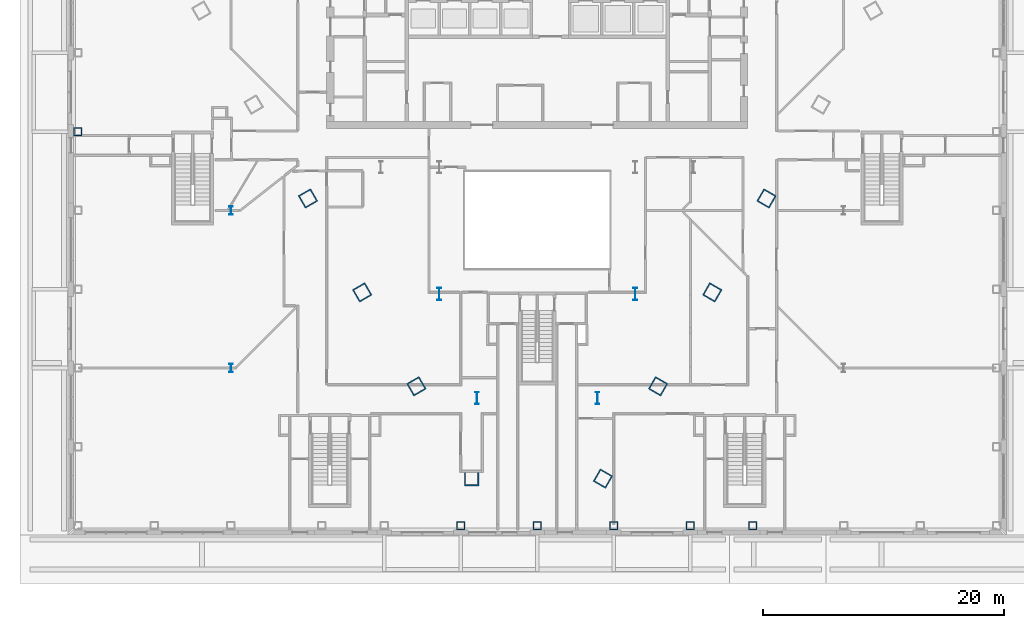
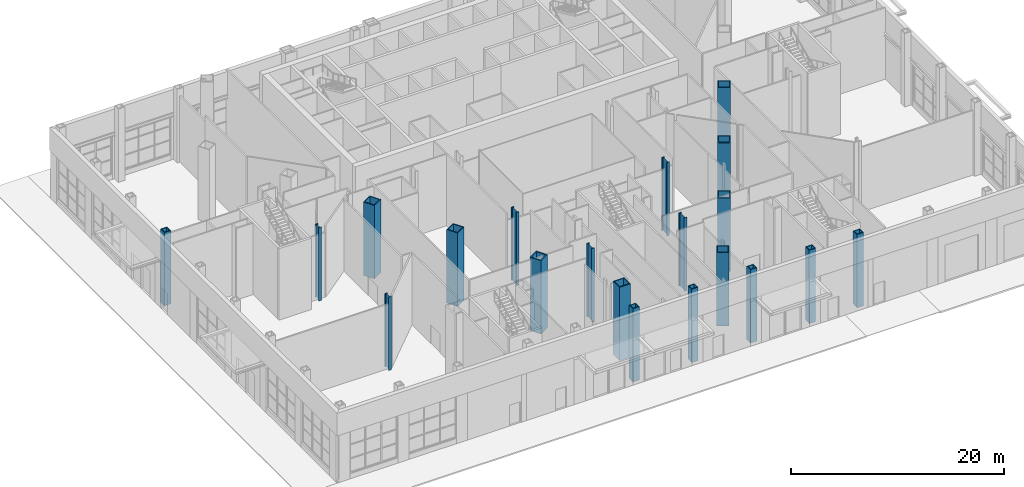
# One storey, part 2 of 34: 20 columns.
"""IFC4 building model written with IfcOpenShell, lengths in metres."""

from ifc_helpers import new_model, si_unit, direction, frame, origin, origin_2d, place, context, subcontext, project, spatial, hollow_rectangle, i_section, extrude, material, material_profile, profile_set, type_object, element, save


model = new_model("IFC4")

# Units and contexts
model_context = context("Model", 3, precision=1e-05, world=origin(), true_north=direction((0.0, 1.0)))
body_context = subcontext(model_context, "Body", "Model", "MODEL_VIEW")
ifc_project = project(units=[si_unit("LENGTHUNIT", "METRE"), si_unit("AREAUNIT", "SQUARE_METRE"), si_unit("VOLUMEUNIT", "CUBIC_METRE"), si_unit("PLANEANGLEUNIT", "RADIAN"), si_unit("MASSUNIT", "GRAM", prefix="KILO")], contexts=[model_context])

# Site, building, storey
site_placement = place(None, origin())
site = spatial("IfcSite", under=ifc_project, at=site_placement, CompositionType="ELEMENT")
building_placement = place(site_placement, origin())
building = spatial("IfcBuilding", under=site, at=building_placement, Name="Njiva Tower", CompositionType="ELEMENT")
storey_placement = place(building_placement, origin())
storey = spatial("IfcBuildingStorey", under=building, at=storey_placement, Name="L00", CompositionType="ELEMENT", Elevation=0.0)

# Columns
ifc_material = material(Name="Steel S355 J2", Category="steel")
ifc_material_profile_1 = material_profile(ifc_material, hollow_rectangle(XDim=1.2, YDim=1.2, WallThickness=0.1, at=origin_2d()), Name="BOX 1200x1200x100")
ifc_profile_set_1 = profile_set([ifc_material_profile_1], Name="Steel S355 J2")
column_type_1 = type_object("IfcColumnType", Name="C1 Mega-column BOX 1200x1200x100", PredefinedType="COLUMN", material=ifc_profile_set_1)
for number, where, z_axis, x_axis, name in (
    (1, (-19.061, -5.807, 0.0), (0.0, 0.0, 1.0), (0.5, -0.866025403784, 0.0), "Mega-column L00-C09"),
    (2, (-14.553, -13.615, 0.0), (0.0, 0.0, 1.0), (0.5, -0.866025403784, 0.0), "Mega-column L00-C10"),
    (3, (-10.046, -21.422, 0.0), (0.0, 0.0, 1.0), (0.5, -0.866025403784, 0.0), "Mega-column L00-C11"),
    (4, (-5.461, -29.096, 0.0), (0.0, 0.0, 1.0), (1.0, 0.0, 0.0), "Mega-column L00-C12"),
    (5, (5.461, -29.096, 0.0), (0.0, 0.0, 1.0), (0.5, 0.866025403784, 0.0), "Mega-column L00-C13"),
    (6, (10.046, -21.422, 0.0), (0.0, 0.0, 1.0), (0.5, 0.866025403784, 0.0), "Mega-column L00-C14"),
    (7, (14.553, -13.615, 0.0), (0.0, 0.0, 1.0), (0.5, 0.866025403784, 0.0), "Mega-column L00-C15"),
    (8, (19.061, -5.807, 0.0), (0.0, 0.0, 1.0), (0.5, 0.866025403784, 0.0), "Mega-column L00-C16"),
):
    element("IfcColumn", number, at=place(storey_placement, frame(where, z_axis=z_axis, x_axis=x_axis)), inside=storey, type_object=column_type_1, Name=name, PredefinedType="COLUMN", context=body_context, shape_type="SweptSolid", body=[
        extrude(hollow_rectangle(XDim=1.2, YDim=1.2, WallThickness=0.1, at=origin_2d()), origin(), (0.0, 0.0, 1.0), 8.4),
    ])
ifc_material_profile_2 = material_profile(ifc_material, i_section(OverallWidth=0.302, OverallDepth=1.008, WebThickness=0.021, FlangeThickness=0.04, at=origin_2d()), Name="HEM 1000")
ifc_profile_set_2 = profile_set([ifc_material_profile_2], Name="Steel S355 J2")
column_type_2 = type_object("IfcColumnType", Name="C2 Interior column HEM 1000", PredefinedType="COLUMN", material=ifc_profile_set_2)
for number, where, z_axis, x_axis, name in (
    (9, (8.15, -13.75, 0.0), (0.0, 0.0, 1.0), (1.0, 0.0, 0.0), "Interior column L00-C21"),
    (10, (-8.15, -13.75, 0.0), (0.0, 0.0, 1.0), (1.0, 0.0, 0.0), "Interior column L00-C22"),
    (11, (5.0, -22.4, 0.0), (0.0, 0.0, 1.0), (1.0, 0.0, 0.0), "Interior column L00-C23"),
    (12, (-5.0, -22.4, 0.0), (0.0, 0.0, 1.0), (1.0, 0.0, 0.0), "Interior column L00-C24"),
):
    element("IfcColumn", number, at=place(storey_placement, frame(where, z_axis=z_axis, x_axis=x_axis)), inside=storey, type_object=column_type_2, Name=name, PredefinedType="COLUMN", context=body_context, shape_type="SweptSolid", body=[
        extrude(i_section(OverallWidth=0.302, OverallDepth=1.008, WebThickness=0.021, FlangeThickness=0.04, at=origin_2d()), origin(), (0.0, 0.0, 1.0), 8.4),
    ])
ifc_material_profile_3 = material_profile(ifc_material, hollow_rectangle(XDim=0.7, YDim=0.7, WallThickness=0.08, at=origin_2d()), Name="BOX 700x700x80")
ifc_profile_set_3 = profile_set([ifc_material_profile_3], Name="Steel S355 J2")
column_type_3 = type_object("IfcColumnType", Name="C3 Podium perimeter column BOX 700x700x80", PredefinedType="COLUMN", material=ifc_profile_set_3)
for number, where, z_axis, x_axis, name in (
    (13, (-38.2, -0.25, 0.0), (0.0, 0.0, 1.0), (0.0, -1.0, 0.0), "Podium perimeter column L00-C45"),
    (14, (-6.367, -33.0, 0.0), (0.0, 0.0, 1.0), (1.0, 0.0, 0.0), "Podium perimeter column L00-C55"),
    (15, (0.0, -33.0, 0.0), (0.0, 0.0, 1.0), (1.0, 0.0, 0.0), "Podium perimeter column L00-C56"),
    (16, (6.367, -33.0, 0.0), (0.0, 0.0, 1.0), (1.0, 0.0, 0.0), "Podium perimeter column L00-C57"),
    (17, (12.733, -33.0, 0.0), (0.0, 0.0, 1.0), (1.0, 0.0, 0.0), "Podium perimeter column L00-C58"),
    (18, (17.9, -33.0, 0.0), (0.0, 0.0, 1.0), (1.0, 0.0, 0.0), "Podium perimeter column L00-C59"),
):
    element("IfcColumn", number, at=place(storey_placement, frame(where, z_axis=z_axis, x_axis=x_axis)), inside=storey, type_object=column_type_3, Name=name, PredefinedType="COLUMN", context=body_context, shape_type="SweptSolid", body=[
        extrude(hollow_rectangle(XDim=0.7, YDim=0.7, WallThickness=0.08, at=origin_2d()), origin(), (0.0, 0.0, 1.0), 8.4),
    ])
ifc_material_profile_4 = material_profile(ifc_material, i_section(OverallWidth=0.304, OverallDepth=0.716, WebThickness=0.021, FlangeThickness=0.04, at=origin_2d()), Name="HEM 700")
ifc_profile_set_4 = profile_set([ifc_material_profile_4], Name="Steel S355 J2")
column_type_4 = type_object("IfcColumnType", Name="C4 Station column HEM 700", PredefinedType="COLUMN", material=ifc_profile_set_4)
for number, where, z_axis, x_axis, name in (
    (19, (-25.467, -6.8, 0.0), (0.0, 0.0, 1.0), (1.0, 0.0, 0.0), "Station column L00-C62"),
    (20, (-25.467, -19.9, 0.0), (0.0, 0.0, 1.0), (1.0, 0.0, 0.0), "Station column L00-C63"),
):
    element("IfcColumn", number, at=place(storey_placement, frame(where, z_axis=z_axis, x_axis=x_axis)), inside=storey, type_object=column_type_4, Name=name, PredefinedType="COLUMN", context=body_context, shape_type="SweptSolid", body=[
        extrude(i_section(OverallWidth=0.304, OverallDepth=0.716, WebThickness=0.021, FlangeThickness=0.04, at=origin_2d()), origin(), (0.0, 0.0, 1.0), 8.4),
    ])

save(model, "model.ifc")
